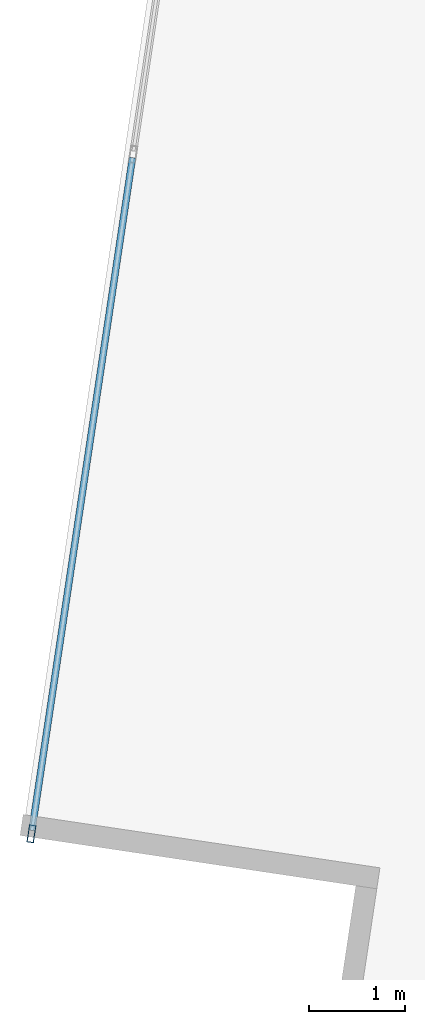
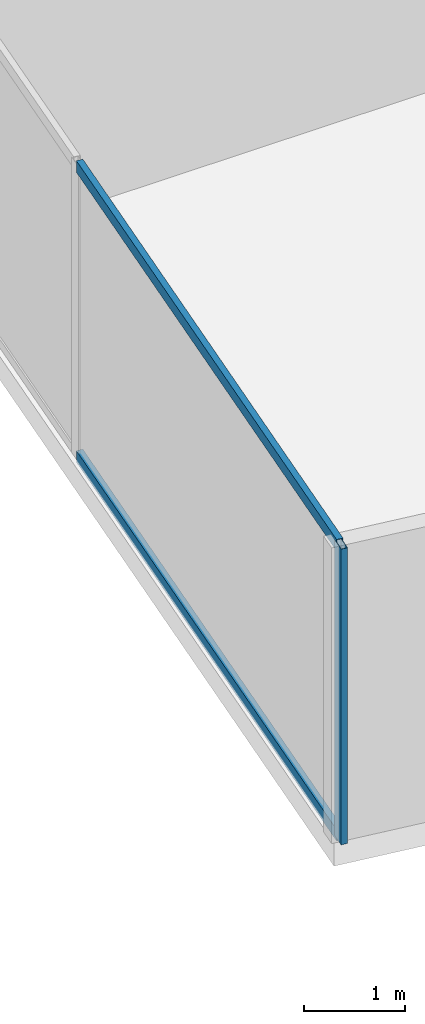
# One storey, part 3 of 29: 3 members, 1 element without a shape of its own.
"""IFC4 building model written with IfcOpenShell, lengths in metres."""

from ifc_helpers import new_model, si_unit, direction, frame, origin, origin_2d, place, context, subcontext, project, spatial, hollow_rectangle, extrude, source, transform, mapped, material, material_profile, profile_set, type_object, type_shapes, element, aggregate, save


model = new_model("IFC4")

# Units and contexts
model_context = context("Model", 3, precision=1e-05, world=origin(), true_north=direction((0.0, 1.0)))
body_context = subcontext(model_context, "Body", "Model", "MODEL_VIEW")
ifc_project = project(units=[si_unit("LENGTHUNIT", "METRE"), si_unit("AREAUNIT", "SQUARE_METRE"), si_unit("VOLUMEUNIT", "CUBIC_METRE"), si_unit("PLANEANGLEUNIT", "RADIAN"), si_unit("MASSUNIT", "GRAM", prefix="KILO")], contexts=[model_context])

# Site, building, storey
site_placement = place(None, origin())
site = spatial("IfcSite", under=ifc_project, at=site_placement, CompositionType="ELEMENT")
building_placement = place(site_placement, origin())
building = spatial("IfcBuilding", under=site, at=building_placement, Name="Krantzveldt Concourse Tower", CompositionType="ELEMENT")
storey_placement = place(building_placement, frame((0.0, 0.0, 76.35009765625)))
storey = spatial("IfcBuildingStorey", under=building, at=storey_placement, Name="L18", CompositionType="ELEMENT", Elevation=76.35009765625)

# Curtain wall, members
ifc_material = material(Name="Anodised aluminium 6063-T6", Category="aluminium")
curtain_wall_type = type_object("IfcCurtainWallType", Name="CW2", PredefinedType="USERDEFINED", material=ifc_material)
curtain_wall_placement = place(storey_placement, origin())
curtain_wall = element("IfcCurtainWall", 1, at=curtain_wall_placement, inside=storey, type_object=curtain_wall_type, Name="CW-L18-F01", ObjectType="UNITISED CURTAIN WALL", PredefinedType="USERDEFINED")
ifc_material_profile_1 = material_profile(ifc_material, hollow_rectangle(XDim=0.070068359375, YDim=0.139892578125, WallThickness=0.0048828125, at=origin_2d()), Name="Anodised aluminium 6063-T6", Category="aluminium")
ifc_profile_set_1 = profile_set([ifc_material_profile_1], Name="Anodised aluminium 6063-T6 - ALU-TRAN 140x70x5")
member_type_1 = type_object("IfcMemberType", Name="CW-TRN-150", PredefinedType="USERDEFINED", material=ifc_profile_set_1)
shared_shape_1 = source(origin(), body_context, "Body", "SweptSolid", [
    extrude(hollow_rectangle(XDim=0.070068359375, YDim=0.139892578125, WallThickness=0.0048828125, at=origin_2d()), origin(), (0.0, 0.0, 1.0), 7.061767578125),
])
type_shapes(member_type_1, [shared_shape_1])
member_1_placement = place(storey_placement, frame((9.23974609375, 16.17138671875, 0.034912109375), z_axis=(-0.147797751082, -0.989017605897, 0.0), x_axis=(0.989017605897, -0.147797751082, 0.0)))
member_1 = element("IfcMember", 2, at=member_1_placement, type_object=member_type_1, Name="CW-Z12 transom 6.1", ObjectType="TRANSOM", PredefinedType="USERDEFINED", context=body_context, shape_type="MappedRepresentation", body=[
    mapped(shared_shape_1, transform((0.0, 0.0, 0.0), x_axis=(1.0, 0.0, 0.0), y_axis=(0.0, 1.0, 0.0), z_axis=(0.0, 0.0, 1.0), scale=1.0)),
])
member_2_placement = place(storey_placement, frame((9.23974609375, 16.17138671875, 3.554931640625), z_axis=(-0.147797751082, -0.989017605897, 0.0), x_axis=(0.989017605897, -0.147797751082, 0.0)))
member_2 = element("IfcMember", 3, at=member_2_placement, type_object=member_type_1, Name="CW-Z12 transom 6.2", ObjectType="TRANSOM", PredefinedType="USERDEFINED", context=body_context, shape_type="MappedRepresentation", body=[
    mapped(shared_shape_1, transform((0.0, 0.0, 0.0), x_axis=(1.0, 0.0, 0.0), y_axis=(0.0, 1.0, 0.0), z_axis=(0.0, 0.0, 1.0), scale=1.0)),
])
ifc_material_profile_2 = material_profile(ifc_material, hollow_rectangle(XDim=0.070068359375, YDim=0.179931640625, WallThickness=0.0048828125, at=origin_2d()), Name="Anodised aluminium 6063-T6", Category="aluminium")
ifc_profile_set_2 = profile_set([ifc_material_profile_2], Name="Anodised aluminium 6063-T6 - ALU-MULL 180x70x5")
member_type_2 = type_object("IfcMemberType", Name="CW-MUL-180", PredefinedType="MULLION", material=ifc_profile_set_2)
shared_shape_2 = source(origin(), body_context, "Body", "SweptSolid", [
    extrude(hollow_rectangle(XDim=0.070068359375, YDim=0.179931640625, WallThickness=0.0048828125, at=origin_2d()), origin(), (0.0, 0.0, 1.0), 3.58984375),
])
type_shapes(member_type_2, [shared_shape_2])
member_3_placement = place(storey_placement, frame((8.19091796875, 9.152587890625, 0.0), z_axis=(0.0, 0.0, 1.0), x_axis=(0.989015849271, -0.147809505412, 0.0)))
member_3 = element("IfcMember", 4, at=member_3_placement, type_object=member_type_2, Name="CW-Z12 mullion 7", PredefinedType="MULLION", context=body_context, shape_type="MappedRepresentation", body=[
    mapped(shared_shape_2, transform((0.0, 0.0, 0.0), x_axis=(1.0, 0.0, 0.0), y_axis=(0.0, 1.0, 0.0), z_axis=(0.0, 0.0, 1.0), scale=1.0)),
])
aggregate(curtain_wall, [member_3, member_1, member_2])

save(model, "model.ifc")
